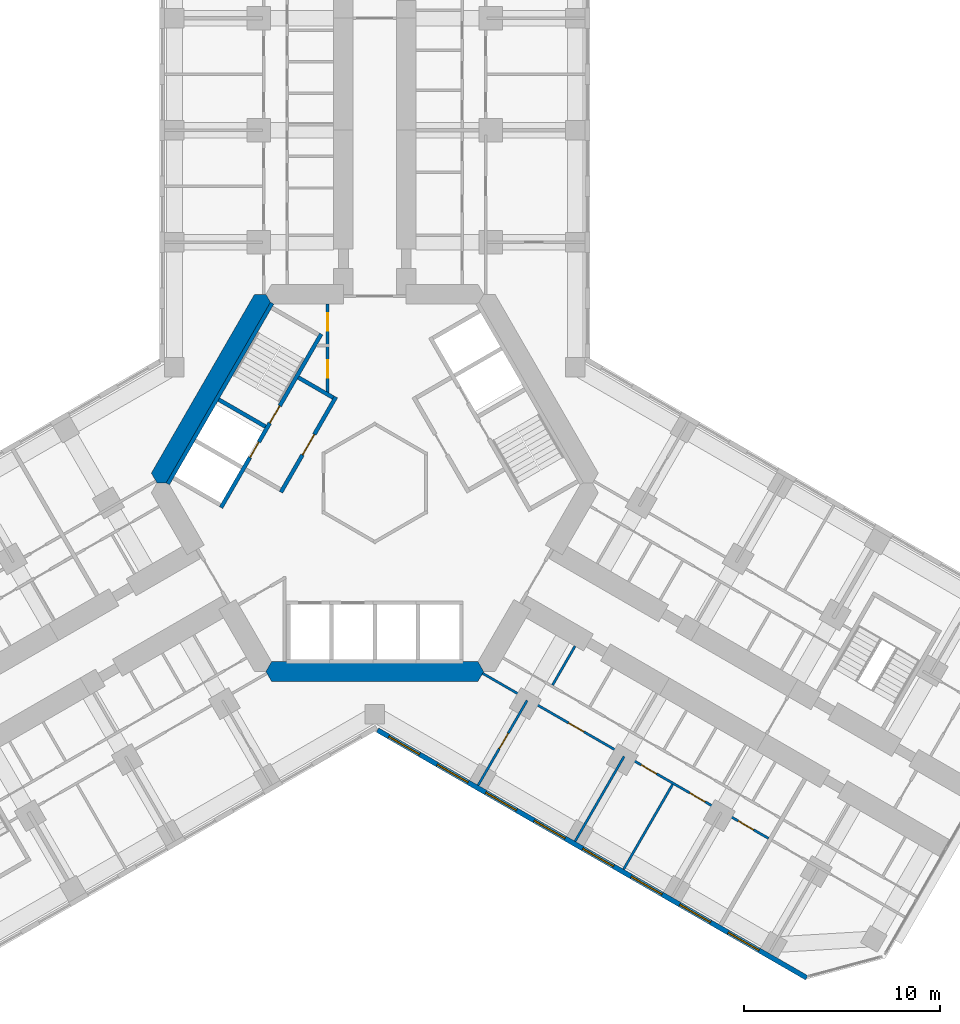
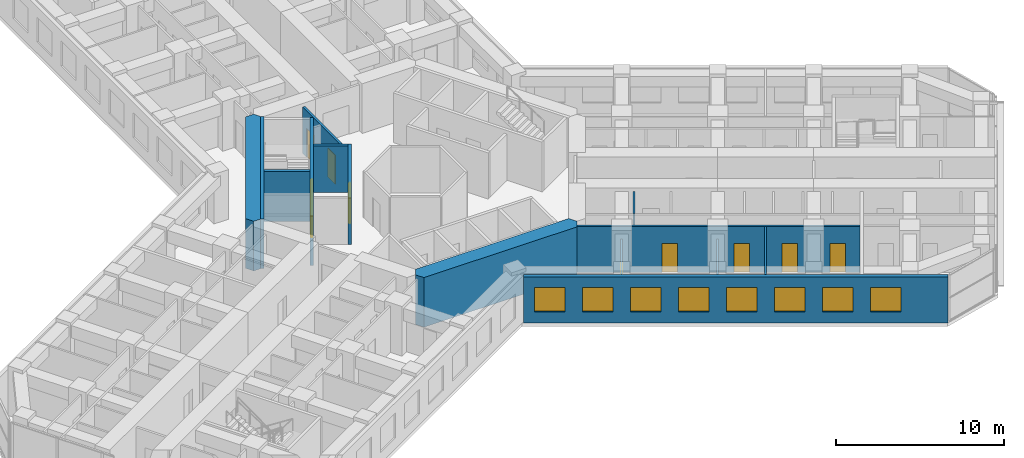
# One storey, part 13 of 21: 14 walls, 10 doors, 8 windows, 18 openings.
"""IFC4 building model written with IfcOpenShell, lengths in metres."""

from ifc_helpers import new_model, si_unit, direction, frame, frame_2d, origin, place, context, subcontext, project, spatial, polyline, rectangle, outline, extrude, material, layer, layer_set, type_object, element, fill, save


model = new_model("IFC4")

# Units and contexts
model_context = context("Model", 3, precision=1e-05, world=origin(), true_north=direction((0.0, 1.0)))
body_context = subcontext(model_context, "Body", "Model", "MODEL_VIEW")
ifc_project = project(units=[si_unit("LENGTHUNIT", "METRE"), si_unit("AREAUNIT", "SQUARE_METRE"), si_unit("VOLUMEUNIT", "CUBIC_METRE"), si_unit("PLANEANGLEUNIT", "RADIAN"), si_unit("MASSUNIT", "GRAM", prefix="KILO")], contexts=[model_context])

# Site, building, storey
site_placement = place(None, origin())
site = spatial("IfcSite", under=ifc_project, at=site_placement, CompositionType="ELEMENT")
building_placement = place(site_placement, origin())
building = spatial("IfcBuilding", under=site, at=building_placement, Name="Kosmar Iwan School Tower", CompositionType="ELEMENT")
storey_placement = place(building_placement, frame((0.0, 0.0, 46.60009765625)))
storey = spatial("IfcBuildingStorey", under=building, at=storey_placement, Name="L10", CompositionType="ELEMENT", Elevation=46.60009765625)

# Wall, openings, doors
ifc_material_1 = material(Name="Gypsum board on steel studs, fire-rated", Category="steel")
ifc_layer_1 = layer(ifc_material_1, 0.14990234375)
ifc_layer_set_1 = layer_set([ifc_layer_1], Name="Core room partition 150")
wall_type_1 = type_object("IfcWallType", Name="Core room partition 150", PredefinedType="PARTITIONING", material=ifc_layer_set_1)
wall_1_placement = place(storey_placement, frame((-2.39990234375, 9.094970703125, 0.0), z_axis=(0.0, 0.0, 1.0), x_axis=(0.0, -1.0, 0.0)))
wall_1 = element("IfcWall", 1, at=wall_1_placement, inside=storey, type_object=wall_type_1, Name="Core room partition L10-CW1", PredefinedType="PARTITIONING", context=body_context, shape_type="SweptSolid", body=[
    extrude(rectangle(XDim=4.564208984375, YDim=0.14990234375, at=frame_2d((2.2822265625, 0.0))), origin(), (0.0, 0.0, 1.0), 3.349853515625),
])
opening_1_placement = place(wall_1_placement, frame((0.455078125, 0.0, 0.0)))
opening_1 = element("IfcOpeningElement", 2, at=opening_1_placement, cuts=wall_1, Name="Opening D14", PredefinedType="OPENING", context=body_context, shape_type="SweptSolid", body=[
    extrude(rectangle(XDim=0.89990234375, YDim=2.10009765625, at=frame_2d((0.449951171875, 1.050048828125))), frame((0.0, 0.0869140625, 0.0), z_axis=(0.0, -1.0, 0.0), x_axis=(1.0, 0.0, 0.0)), (0.0, 0.0, 1.0), 0.173828125),
])
opening_2_placement = place(wall_1_placement, frame((2.85498046875, 0.0, 0.0)))
opening_2 = element("IfcOpeningElement", 3, at=opening_2_placement, cuts=wall_1, Name="Opening D14", PredefinedType="OPENING", context=body_context, shape_type="SweptSolid", body=[
    extrude(rectangle(XDim=0.89990234375, YDim=2.10009765625, at=frame_2d((0.449951171875, 1.050048828125))), frame((0.0, 0.0869140625, 0.0), z_axis=(0.0, -1.0, 0.0), x_axis=(1.0, 0.0, 0.0)), (0.0, 0.0, 1.0), 0.173828125),
])
ifc_material_2 = material(Name="Timber fire door in steel frame", Category="steel")
door_type_1 = type_object("IfcDoorType", Name="Core room door 900x2100", OperationType="SINGLE_SWING_LEFT", PredefinedType="DOOR", material=ifc_material_2)
door_1_placement = place(opening_1_placement, origin())
door_1 = element("IfcDoor", 4, at=door_1_placement, inside=storey, type_object=door_type_1, Name="Electrical riser and switch room door L10 1", OperationType="SINGLE_SWING_LEFT", OverallHeight=2.10009765625, OverallWidth=0.89990234375, PredefinedType="DOOR", context=body_context, shape_type="SweptSolid", body=[
    extrude(rectangle(XDim=0.89990234375, YDim=2.10009765625, at=frame_2d((0.449951171875, 1.050048828125))), frame((0.0, 0.02490234375, 0.0), z_axis=(0.0, -1.0, 0.0), x_axis=(1.0, 0.0, 0.0)), (0.0, 0.0, 1.0), 0.050048828125),
])
fill(opening_1, door_1)
door_2_placement = place(opening_2_placement, origin())
door_2 = element("IfcDoor", 5, at=door_2_placement, inside=storey, type_object=door_type_1, Name="Plumbing and wet riser door L10 2", OperationType="SINGLE_SWING_RIGHT", OverallHeight=2.10009765625, OverallWidth=0.89990234375, PredefinedType="DOOR", context=body_context, shape_type="SweptSolid", body=[
    extrude(rectangle(XDim=0.89990234375, YDim=2.10009765625, at=frame_2d((0.449951171875, 1.050048828125))), frame((0.0, 0.02490234375, 0.0), z_axis=(0.0, -1.0, 0.0), x_axis=(1.0, 0.0, 0.0)), (0.0, 0.0, 1.0), 0.050048828125),
])
fill(opening_2, door_2)

# Walls
ifc_material_3 = material(Name="Concrete C50/60", Category="concrete")
ifc_layer_2 = layer(ifc_material_3, 1.0)
ifc_layer_set_2 = layer_set([ifc_layer_2], Name="Core wall 1000")
wall_type_2 = type_object("IfcWallType", Name="Core wall 1000", PredefinedType="SHEAR", material=ifc_layer_set_2)
wall_2_placement = place(storey_placement, origin())
element("IfcWall", 6, at=wall_2_placement, inside=storey, type_object=wall_type_2, Name="Core wall F150", PredefinedType="SHEAR", context=body_context, shape_type="SweptSolid", body=[
    extrude(outline(polyline([(-11.085205078125, 0.0), (-10.5078125, 0.0), (-5.25390625, 9.10009765625), (-5.54248046875, 9.60009765625), (-6.119873046875, 9.60009765625), (-11.373779296875, 0.5), (-11.085205078125, 0.0)])), origin(), (0.0, 0.0, 1.0), 3.599853515625),
])
wall_3_placement = place(storey_placement, origin())
element("IfcWall", 7, at=wall_3_placement, inside=storey, type_object=wall_type_2, Name="Core wall F270", PredefinedType="SHEAR", context=body_context, shape_type="SweptSolid", body=[
    extrude(outline(polyline([(-5.25390625, -10.10009765625), (5.25390625, -10.10009765625), (5.54248046875, -9.60009765625), (5.25390625, -9.10009765625), (-5.25390625, -9.10009765625), (-5.54248046875, -9.60009765625), (-5.25390625, -10.10009765625)])), origin(), (0.0, 0.0, 1.0), 3.599853515625),
])

# Wall, openings, doors
ifc_material_4 = material(Name="Gypsum board on steel studs", Category="steel")
ifc_layer_3 = layer(ifc_material_4, 0.1201171875)
ifc_layer_set_3 = layer_set([ifc_layer_3], Name="Dwelling partition 120")
wall_type_3 = type_object("IfcWallType", Name="Dwelling partition 120", PredefinedType="PARTITIONING", material=ifc_layer_set_3)
wall_4_placement = place(storey_placement, frame((5.48876953125, -9.693115234375, 0.0), z_axis=(0.0, 0.0, 1.0), x_axis=(0.86602925447, -0.499993330357, 0.0)))
wall_4 = element("IfcWall", 8, at=wall_4_placement, inside=storey, type_object=wall_type_3, Name="Partition L10-CR1-W2", PredefinedType="PARTITIONING", context=body_context, shape_type="SweptSolid", body=[
    extrude(rectangle(XDim=16.800048828125, YDim=0.1201171875, at=frame_2d((8.39990234375, 0.0))), origin(), (0.0, 0.0, 1.0), 3.349853515625),
])
opening_3_placement = place(wall_4_placement, frame((5.050048828125, 0.0, 0.0)))
opening_3 = element("IfcOpeningElement", 9, at=opening_3_placement, cuts=wall_4, Name="Opening D2", PredefinedType="OPENING", context=body_context, shape_type="SweptSolid", body=[
    extrude(rectangle(XDim=0.89990234375, YDim=2.10009765625, at=frame_2d((0.449951171875, 1.050048828125))), frame((0.0, 0.072021484375, 0.0), z_axis=(0.0, -1.0, 0.0), x_axis=(1.0, 0.0, 0.0)), (0.0, 0.0, 1.0), 0.14404296875),
])
opening_4_placement = place(wall_4_placement, frame((9.324951171875, 0.0, 0.0)))
opening_4 = element("IfcOpeningElement", 10, at=opening_4_placement, cuts=wall_4, Name="Opening D2", PredefinedType="OPENING", context=body_context, shape_type="SweptSolid", body=[
    extrude(rectangle(XDim=0.89990234375, YDim=2.10009765625, at=frame_2d((0.449951171875, 1.050048828125))), frame((0.0, 0.072021484375, 0.0), z_axis=(0.0, -1.0, 0.0), x_axis=(1.0, 0.0, 0.0)), (0.0, 0.0, 1.0), 0.14404296875),
])
opening_5_placement = place(wall_4_placement, frame((12.175048828125, 0.0, 0.0)))
opening_5 = element("IfcOpeningElement", 11, at=opening_5_placement, cuts=wall_4, Name="Opening D2", PredefinedType="OPENING", context=body_context, shape_type="SweptSolid", body=[
    extrude(rectangle(XDim=0.89990234375, YDim=2.10009765625, at=frame_2d((0.449951171875, 1.050048828125))), frame((0.0, 0.072021484375, 0.0), z_axis=(0.0, -1.0, 0.0), x_axis=(1.0, 0.0, 0.0)), (0.0, 0.0, 1.0), 0.14404296875),
])
opening_6_placement = place(wall_4_placement, frame((15.02490234375, 0.0, 0.0)))
opening_6 = element("IfcOpeningElement", 12, at=opening_6_placement, cuts=wall_4, Name="Opening D2", PredefinedType="OPENING", context=body_context, shape_type="SweptSolid", body=[
    extrude(rectangle(XDim=0.89990234375, YDim=2.10009765625, at=frame_2d((0.449951171875, 1.050048828125))), frame((0.0, 0.072021484375, 0.0), z_axis=(0.0, -1.0, 0.0), x_axis=(1.0, 0.0, 0.0)), (0.0, 0.0, 1.0), 0.14404296875),
])
ifc_material_5 = material(Name="Timber door in timber frame", Category="wood")
door_type_2 = type_object("IfcDoorType", Name="Internal door 900x2100", OperationType="SINGLE_SWING_LEFT", PredefinedType="DOOR", material=ifc_material_5)
door_3_placement = place(opening_3_placement, origin())
door_3 = element("IfcDoor", 13, at=door_3_placement, inside=storey, type_object=door_type_2, Name="Living room door L10-CR1-F2", OperationType="SINGLE_SWING_LEFT", OverallHeight=2.10009765625, OverallWidth=0.89990234375, PredefinedType="DOOR", context=body_context, shape_type="SweptSolid", body=[
    extrude(rectangle(XDim=0.89990234375, YDim=2.10009765625, at=frame_2d((0.449951171875, 1.050048828125))), frame((0.0, 0.02490234375, 0.0), z_axis=(0.0, -1.0, 0.0), x_axis=(1.0, 0.0, 0.0)), (0.0, 0.0, 1.0), 0.050048828125),
])
fill(opening_3, door_3)
door_4_placement = place(opening_4_placement, origin())
door_4 = element("IfcDoor", 14, at=door_4_placement, inside=storey, type_object=door_type_2, Name="Study door L10-CR1-F3", OperationType="SINGLE_SWING_RIGHT", OverallHeight=2.10009765625, OverallWidth=0.89990234375, PredefinedType="DOOR", context=body_context, shape_type="SweptSolid", body=[
    extrude(rectangle(XDim=0.89990234375, YDim=2.10009765625, at=frame_2d((0.449951171875, 1.050048828125))), frame((0.0, 0.02490234375, 0.0), z_axis=(0.0, -1.0, 0.0), x_axis=(1.0, 0.0, 0.0)), (0.0, 0.0, 1.0), 0.050048828125),
])
fill(opening_4, door_4)
door_5_placement = place(opening_5_placement, origin())
door_5 = element("IfcDoor", 15, at=door_5_placement, inside=storey, type_object=door_type_2, Name="Bedroom 1 door L10-CR1-F4", OperationType="SINGLE_SWING_RIGHT", OverallHeight=2.10009765625, OverallWidth=0.89990234375, PredefinedType="DOOR", context=body_context, shape_type="SweptSolid", body=[
    extrude(rectangle(XDim=0.89990234375, YDim=2.10009765625, at=frame_2d((0.449951171875, 1.050048828125))), frame((0.0, 0.02490234375, 0.0), z_axis=(0.0, -1.0, 0.0), x_axis=(1.0, 0.0, 0.0)), (0.0, 0.0, 1.0), 0.050048828125),
])
fill(opening_5, door_5)
door_6_placement = place(opening_6_placement, origin())
door_6 = element("IfcDoor", 16, at=door_6_placement, inside=storey, type_object=door_type_2, Name="Bedroom 2 door L10-CR1-F5", OperationType="SINGLE_SWING_RIGHT", OverallHeight=2.10009765625, OverallWidth=0.89990234375, PredefinedType="DOOR", context=body_context, shape_type="SweptSolid", body=[
    extrude(rectangle(XDim=0.89990234375, YDim=2.10009765625, at=frame_2d((0.449951171875, 1.050048828125))), frame((0.0, 0.02490234375, 0.0), z_axis=(0.0, -1.0, 0.0), x_axis=(1.0, 0.0, 0.0)), (0.0, 0.0, 1.0), 0.050048828125),
])
fill(opening_6, door_6)

# Wall, opening, door
wall_5_placement = place(storey_placement, frame((7.75390625, -11.070068359375, 0.0), z_axis=(0.0, 0.0, 1.0), x_axis=(-0.500033033937, -0.866006330792, 0.0)))
wall_5 = element("IfcWall", 17, at=wall_5_placement, inside=storey, type_object=wall_type_3, Name="Partition L10-CR1-X1", PredefinedType="PARTITIONING", context=body_context, shape_type="SweptSolid", body=[
    extrude(rectangle(XDim=4.989990234375, YDim=0.1201171875, at=frame_2d((2.4951171875, 0.0))), origin(), (0.0, 0.0, 1.0), 2.449951171875),
])
opening_7_placement = place(wall_5_placement, frame((1.93994140625, 0.0, 0.0)))
opening_7 = element("IfcOpeningElement", 18, at=opening_7_placement, cuts=wall_5, Name="Opening D2", PredefinedType="OPENING", context=body_context, shape_type="SweptSolid", body=[
    extrude(rectangle(XDim=0.89990234375, YDim=2.10009765625, at=frame_2d((0.449951171875, 1.050048828125))), frame((0.0, 0.072021484375, 0.0), z_axis=(0.0, -1.0, 0.0), x_axis=(1.0, 0.0, 0.0)), (0.0, 0.0, 1.0), 0.14404296875),
])
door_7_placement = place(opening_7_placement, origin())
door_7 = element("IfcDoor", 19, at=door_7_placement, inside=storey, type_object=door_type_2, Name="Kitchen and dining room door L10-CR1-F1", OperationType="SINGLE_SWING_LEFT", OverallHeight=2.10009765625, OverallWidth=0.89990234375, PredefinedType="DOOR", context=body_context, shape_type="SweptSolid", body=[
    extrude(rectangle(XDim=0.89990234375, YDim=2.10009765625, at=frame_2d((0.449951171875, 1.050048828125))), frame((0.0, 0.02490234375, 0.0), z_axis=(0.0, -1.0, 0.0), x_axis=(1.0, 0.0, 0.0)), (0.0, 0.0, 1.0), 0.050048828125),
])
fill(opening_7, door_7)

# Walls
wall_6_placement = place(storey_placement, frame((12.690185546875, -13.919921875, 0.0), z_axis=(0.0, 0.0, 1.0), x_axis=(-0.500011847778, -0.866018563358, 0.0)))
element("IfcWall", 20, at=wall_6_placement, inside=storey, type_object=wall_type_3, Name="Partition L10-CR1-X2", PredefinedType="PARTITIONING", context=body_context, shape_type="SweptSolid", body=[
    extrude(rectangle(XDim=4.990234375, YDim=0.1201171875, at=frame_2d((2.4951171875, 0.0))), origin(), (0.0, 0.0, 1.0), 2.449951171875),
])
wall_7_placement = place(storey_placement, frame((15.158447265625, -15.344970703125, 0.0), z_axis=(0.0, 0.0, 1.0), x_axis=(-0.500011847778, -0.866018563358, 0.0)))
element("IfcWall", 21, at=wall_7_placement, inside=storey, type_object=wall_type_3, Name="Partition L10-CR1-X3", PredefinedType="PARTITIONING", context=body_context, shape_type="SweptSolid", body=[
    extrude(rectangle(XDim=4.990234375, YDim=0.1201171875, at=frame_2d((2.4951171875, 0.0))), origin(), (0.0, 0.0, 1.0), 3.349853515625),
])
wall_8_placement = place(storey_placement, frame((10.19091796875, -8.30859375, 0.0), z_axis=(0.0, 0.0, 1.0), x_axis=(-0.500014693593, -0.866016920268, 0.0)))
element("IfcWall", 22, at=wall_8_placement, inside=storey, type_object=wall_type_3, Name="Partition L10-CR1-Y1", PredefinedType="PARTITIONING", context=body_context, shape_type="SweptSolid", body=[
    extrude(rectangle(XDim=2.2900390625, YDim=0.1201171875, at=frame_2d((1.14501953125, 0.0))), origin(), (0.0, 0.0, 1.0), 3.349853515625),
])

# Wall, openings, windows
ifc_material_6 = material(Name="Black aluminium rainscreen on insulated framing", Category="aluminium")
ifc_layer_4 = layer(ifc_material_6, 0.25)
ifc_layer_set_4 = layer_set([ifc_layer_4], Name="External wall rainscreen 250")
wall_type_4 = type_object("IfcWallType", Name="External wall rainscreen 250", PredefinedType="SOLIDWALL", material=ifc_layer_set_4)
wall_9_placement = place(storey_placement, frame((0.137939453125, -12.5791015625, 0.0), z_axis=(0.0, 0.0, 1.0), x_axis=(0.866023775649, -0.500002820003, 0.0)))
wall_9 = element("IfcWall", 23, at=wall_9_placement, inside=storey, type_object=wall_type_4, Name="External wall CR L10", PredefinedType="SOLIDWALL", context=body_context, shape_type="SweptSolid", body=[
    extrude(rectangle(XDim=25.226318359375, YDim=0.25, at=frame_2d((12.61328125, 0.0))), origin(), (0.0, 0.0, 1.0), 3.349853515625),
])
opening_8_placement = place(wall_9_placement, frame((0.666015625, 0.0, 0.800048828125)))
opening_8 = element("IfcOpeningElement", 24, at=opening_8_placement, cuts=wall_9, Name="Opening W1", PredefinedType="OPENING", context=body_context, shape_type="SweptSolid", body=[
    extrude(rectangle(XDim=1.800048828125, YDim=1.800048828125, at=frame_2d((0.89990234375, 0.89990234375))), frame((0.0, 0.136962890625, 0.0), z_axis=(0.0, -1.0, 0.0), x_axis=(1.0, 0.0, 0.0)), (0.0, 0.0, 1.0), 0.27392578125),
])
opening_9_placement = place(wall_9_placement, frame((3.51611328125, 0.0, 0.800048828125)))
opening_9 = element("IfcOpeningElement", 25, at=opening_9_placement, cuts=wall_9, Name="Opening W1", PredefinedType="OPENING", context=body_context, shape_type="SweptSolid", body=[
    extrude(rectangle(XDim=1.800048828125, YDim=1.800048828125, at=frame_2d((0.89990234375, 0.89990234375))), frame((0.0, 0.136962890625, 0.0), z_axis=(0.0, -1.0, 0.0), x_axis=(1.0, 0.0, 0.0)), (0.0, 0.0, 1.0), 0.27392578125),
])
opening_10_placement = place(wall_9_placement, frame((6.365966796875, 0.0, 0.800048828125)))
opening_10 = element("IfcOpeningElement", 26, at=opening_10_placement, cuts=wall_9, Name="Opening W1", PredefinedType="OPENING", context=body_context, shape_type="SweptSolid", body=[
    extrude(rectangle(XDim=1.800048828125, YDim=1.800048828125, at=frame_2d((0.89990234375, 0.89990234375))), frame((0.0, 0.136962890625, 0.0), z_axis=(0.0, -1.0, 0.0), x_axis=(1.0, 0.0, 0.0)), (0.0, 0.0, 1.0), 0.27392578125),
])
opening_11_placement = place(wall_9_placement, frame((9.216064453125, 0.0, 0.800048828125)))
opening_11 = element("IfcOpeningElement", 27, at=opening_11_placement, cuts=wall_9, Name="Opening W1", PredefinedType="OPENING", context=body_context, shape_type="SweptSolid", body=[
    extrude(rectangle(XDim=1.800048828125, YDim=1.800048828125, at=frame_2d((0.89990234375, 0.89990234375))), frame((0.0, 0.136962890625, 0.0), z_axis=(0.0, -1.0, 0.0), x_axis=(1.0, 0.0, 0.0)), (0.0, 0.0, 1.0), 0.27392578125),
])
opening_12_placement = place(wall_9_placement, frame((12.06591796875, 0.0, 0.800048828125)))
opening_12 = element("IfcOpeningElement", 28, at=opening_12_placement, cuts=wall_9, Name="Opening W1", PredefinedType="OPENING", context=body_context, shape_type="SweptSolid", body=[
    extrude(rectangle(XDim=1.800048828125, YDim=1.800048828125, at=frame_2d((0.89990234375, 0.89990234375))), frame((0.0, 0.136962890625, 0.0), z_axis=(0.0, -1.0, 0.0), x_axis=(1.0, 0.0, 0.0)), (0.0, 0.0, 1.0), 0.27392578125),
])
opening_13_placement = place(wall_9_placement, frame((14.916015625, 0.0, 0.800048828125)))
opening_13 = element("IfcOpeningElement", 29, at=opening_13_placement, cuts=wall_9, Name="Opening W1", PredefinedType="OPENING", context=body_context, shape_type="SweptSolid", body=[
    extrude(rectangle(XDim=1.800048828125, YDim=1.800048828125, at=frame_2d((0.89990234375, 0.89990234375))), frame((0.0, 0.136962890625, 0.0), z_axis=(0.0, -1.0, 0.0), x_axis=(1.0, 0.0, 0.0)), (0.0, 0.0, 1.0), 0.27392578125),
])
opening_14_placement = place(wall_9_placement, frame((17.76611328125, 0.0, 0.800048828125)))
opening_14 = element("IfcOpeningElement", 30, at=opening_14_placement, cuts=wall_9, Name="Opening W1", PredefinedType="OPENING", context=body_context, shape_type="SweptSolid", body=[
    extrude(rectangle(XDim=1.800048828125, YDim=1.800048828125, at=frame_2d((0.89990234375, 0.89990234375))), frame((0.0, 0.136962890625, 0.0), z_axis=(0.0, -1.0, 0.0), x_axis=(1.0, 0.0, 0.0)), (0.0, 0.0, 1.0), 0.27392578125),
])
opening_15_placement = place(wall_9_placement, frame((20.615966796875, 0.0, 0.800048828125)))
opening_15 = element("IfcOpeningElement", 31, at=opening_15_placement, cuts=wall_9, Name="Opening W1", PredefinedType="OPENING", context=body_context, shape_type="SweptSolid", body=[
    extrude(rectangle(XDim=1.800048828125, YDim=1.800048828125, at=frame_2d((0.89990234375, 0.89990234375))), frame((0.0, 0.136962890625, 0.0), z_axis=(0.0, -1.0, 0.0), x_axis=(1.0, 0.0, 0.0)), (0.0, 0.0, 1.0), 0.27392578125),
])
ifc_material_7 = material(Name="Black aluminium frame with dark triple glazing", Category="aluminium")
window_type = type_object("IfcWindowType", Name="Window 1800x1800", PartitioningType="SINGLE_PANEL", PredefinedType="WINDOW", material=ifc_material_7)
window_1_placement = place(opening_8_placement, origin())
window_1 = element("IfcWindow", 32, at=window_1_placement, inside=storey, type_object=window_type, Name="Window CR L10 -1", OverallHeight=1.800048828125, OverallWidth=1.800048828125, PartitioningType="SINGLE_PANEL", PredefinedType="WINDOW", context=body_context, shape_type="SweptSolid", body=[
    extrude(rectangle(XDim=1.800048828125, YDim=1.800048828125, at=frame_2d((0.89990234375, 0.89990234375))), frame((0.0, 0.030029296875, 0.0), z_axis=(0.0, -1.0, 0.0), x_axis=(1.0, 0.0, 0.0)), (0.0, 0.0, 1.0), 0.06005859375),
])
fill(opening_8, window_1)
window_2_placement = place(opening_9_placement, origin())
window_2 = element("IfcWindow", 33, at=window_2_placement, inside=storey, type_object=window_type, Name="Window CR L10 0", OverallHeight=1.800048828125, OverallWidth=1.800048828125, PartitioningType="SINGLE_PANEL", PredefinedType="WINDOW", context=body_context, shape_type="SweptSolid", body=[
    extrude(rectangle(XDim=1.800048828125, YDim=1.800048828125, at=frame_2d((0.89990234375, 0.89990234375))), frame((0.0, 0.030029296875, 0.0), z_axis=(0.0, -1.0, 0.0), x_axis=(1.0, 0.0, 0.0)), (0.0, 0.0, 1.0), 0.06005859375),
])
fill(opening_9, window_2)
window_3_placement = place(opening_10_placement, origin())
window_3 = element("IfcWindow", 34, at=window_3_placement, inside=storey, type_object=window_type, Name="Window CR L10 1", OverallHeight=1.800048828125, OverallWidth=1.800048828125, PartitioningType="SINGLE_PANEL", PredefinedType="WINDOW", context=body_context, shape_type="SweptSolid", body=[
    extrude(rectangle(XDim=1.800048828125, YDim=1.800048828125, at=frame_2d((0.89990234375, 0.89990234375))), frame((0.0, 0.030029296875, 0.0), z_axis=(0.0, -1.0, 0.0), x_axis=(1.0, 0.0, 0.0)), (0.0, 0.0, 1.0), 0.06005859375),
])
fill(opening_10, window_3)
window_4_placement = place(opening_11_placement, origin())
window_4 = element("IfcWindow", 35, at=window_4_placement, inside=storey, type_object=window_type, Name="Window CR L10 2", OverallHeight=1.800048828125, OverallWidth=1.800048828125, PartitioningType="SINGLE_PANEL", PredefinedType="WINDOW", context=body_context, shape_type="SweptSolid", body=[
    extrude(rectangle(XDim=1.800048828125, YDim=1.800048828125, at=frame_2d((0.89990234375, 0.89990234375))), frame((0.0, 0.030029296875, 0.0), z_axis=(0.0, -1.0, 0.0), x_axis=(1.0, 0.0, 0.0)), (0.0, 0.0, 1.0), 0.06005859375),
])
fill(opening_11, window_4)
window_5_placement = place(opening_12_placement, origin())
window_5 = element("IfcWindow", 36, at=window_5_placement, inside=storey, type_object=window_type, Name="Window CR L10 3", OverallHeight=1.800048828125, OverallWidth=1.800048828125, PartitioningType="SINGLE_PANEL", PredefinedType="WINDOW", context=body_context, shape_type="SweptSolid", body=[
    extrude(rectangle(XDim=1.800048828125, YDim=1.800048828125, at=frame_2d((0.89990234375, 0.89990234375))), frame((0.0, 0.030029296875, 0.0), z_axis=(0.0, -1.0, 0.0), x_axis=(1.0, 0.0, 0.0)), (0.0, 0.0, 1.0), 0.06005859375),
])
fill(opening_12, window_5)
window_6_placement = place(opening_13_placement, origin())
window_6 = element("IfcWindow", 37, at=window_6_placement, inside=storey, type_object=window_type, Name="Window CR L10 4", OverallHeight=1.800048828125, OverallWidth=1.800048828125, PartitioningType="SINGLE_PANEL", PredefinedType="WINDOW", context=body_context, shape_type="SweptSolid", body=[
    extrude(rectangle(XDim=1.800048828125, YDim=1.800048828125, at=frame_2d((0.89990234375, 0.89990234375))), frame((0.0, 0.030029296875, 0.0), z_axis=(0.0, -1.0, 0.0), x_axis=(1.0, 0.0, 0.0)), (0.0, 0.0, 1.0), 0.06005859375),
])
fill(opening_13, window_6)
window_7_placement = place(opening_14_placement, origin())
window_7 = element("IfcWindow", 38, at=window_7_placement, inside=storey, type_object=window_type, Name="Window CR L10 5", OverallHeight=1.800048828125, OverallWidth=1.800048828125, PartitioningType="SINGLE_PANEL", PredefinedType="WINDOW", context=body_context, shape_type="SweptSolid", body=[
    extrude(rectangle(XDim=1.800048828125, YDim=1.800048828125, at=frame_2d((0.89990234375, 0.89990234375))), frame((0.0, 0.030029296875, 0.0), z_axis=(0.0, -1.0, 0.0), x_axis=(1.0, 0.0, 0.0)), (0.0, 0.0, 1.0), 0.06005859375),
])
fill(opening_14, window_7)
window_8_placement = place(opening_15_placement, origin())
window_8 = element("IfcWindow", 39, at=window_8_placement, inside=storey, type_object=window_type, Name="Window CR L10 6", OverallHeight=1.800048828125, OverallWidth=1.800048828125, PartitioningType="SINGLE_PANEL", PredefinedType="WINDOW", context=body_context, shape_type="SweptSolid", body=[
    extrude(rectangle(XDim=1.800048828125, YDim=1.800048828125, at=frame_2d((0.89990234375, 0.89990234375))), frame((0.0, 0.030029296875, 0.0), z_axis=(0.0, -1.0, 0.0), x_axis=(1.0, 0.0, 0.0)), (0.0, 0.0, 1.0), 0.06005859375),
])
fill(opening_15, window_8)

# Wall, opening, door
ifc_material_8 = material(Name="Concrete block masonry", Category="masonry")
ifc_layer_5 = layer(ifc_material_8, 0.199951171875)
ifc_layer_set_5 = layer_set([ifc_layer_5], Name="Fire lobby wall 200")
wall_type_5 = type_object("IfcWallType", Name="Fire lobby wall 200", PredefinedType="PARTITIONING", material=ifc_layer_set_5)
wall_10_placement = place(storey_placement, frame((-1.9775390625, 4.374755859375, 0.0), z_axis=(0.0, 0.0, 1.0), x_axis=(-0.500016814911, -0.866015695474, 0.0)))
wall_10 = element("IfcWall", 40, at=wall_10_placement, inside=storey, type_object=wall_type_5, Name="Firefighting lobby wall ST2", PredefinedType="PARTITIONING", context=body_context, shape_type="SweptSolid", body=[
    extrude(rectangle(XDim=5.599853515625, YDim=0.199951171875, at=frame_2d((2.7998046875, 0.0))), origin(), (0.0, 0.0, 1.0), 3.349853515625),
])
opening_16_placement = place(wall_10_placement, frame((2.199951171875, 0.0, 0.0)))
opening_16 = element("IfcOpeningElement", 41, at=opening_16_placement, cuts=wall_10, Name="Opening D7", PredefinedType="OPENING", context=body_context, shape_type="SweptSolid", body=[
    extrude(rectangle(XDim=1.199951171875, YDim=2.10009765625, at=frame_2d((0.60009765625, 1.050048828125))), frame((0.0, 0.112060546875, 0.0), z_axis=(0.0, -1.0, 0.0), x_axis=(1.0, 0.0, 0.0)), (0.0, 0.0, 1.0), 0.223876953125),
])
ifc_material_9 = material(Name="Steel fire door", Category="steel")
door_type_3 = type_object("IfcDoorType", Name="Fire lobby door 1200x2100", OperationType="SINGLE_SWING_LEFT", PredefinedType="DOOR", material=ifc_material_9)
door_8_placement = place(opening_16_placement, frame((1.199951171875, 0.0, 0.0), z_axis=(0.0, 0.0, 1.0), x_axis=(-1.0, 0.0, 0.0)))
door_8 = element("IfcDoor", 42, at=door_8_placement, inside=storey, type_object=door_type_3, Name="Firefighting lobby door ST2 L10", OperationType="SINGLE_SWING_LEFT", OverallHeight=2.10009765625, OverallWidth=1.199951171875, PredefinedType="DOOR", context=body_context, shape_type="SweptSolid", body=[
    extrude(rectangle(XDim=1.199951171875, YDim=2.10009765625, at=frame_2d((0.60009765625, 1.050048828125))), frame((0.0, 0.02490234375, 0.0), z_axis=(0.0, -1.0, 0.0), x_axis=(1.0, 0.0, 0.0)), (0.0, 0.0, 1.0), 0.050048828125),
])
fill(opening_16, door_8)

# Wall
wall_11_placement = place(storey_placement, frame((-2.114013671875, 4.33837890625, 0.0), z_axis=(0.0, 0.0, 1.0), x_axis=(-0.866050731258, 0.499956128963, 0.0)))
element("IfcWall", 43, at=wall_11_placement, inside=storey, type_object=wall_type_5, Name="Firefighting lobby wall ST2", PredefinedType="PARTITIONING", context=body_context, shape_type="SweptSolid", body=[
    extrude(rectangle(XDim=2.050048828125, YDim=0.199951171875, at=frame_2d((1.02490234375, 0.0))), origin(), (0.0, 0.0, 1.0), 3.349853515625),
])

# Wall, openings, doors
ifc_material_10 = material(Name="Concrete C50/60", Category="concrete")
ifc_layer_6 = layer(ifc_material_10, 0.199951171875)
ifc_layer_set_6 = layer_set([ifc_layer_6], Name="Lift shaft wall 200")
wall_type_6 = type_object("IfcWallType", Name="Lift shaft wall 200", PredefinedType="SHEAR", material=ifc_layer_set_6)
wall_12_placement = place(storey_placement, frame((-2.72607421875, 7.578369140625, 0.0), z_axis=(0.0, 0.0, 1.0), x_axis=(-0.500005610874, -0.86602216432, 0.0)))
wall_12 = element("IfcWall", 44, at=wall_12_placement, inside=storey, type_object=wall_type_6, Name="Lift and stair front wall AB", PredefinedType="SHEAR", context=body_context, shape_type="SweptSolid", body=[
    extrude(rectangle(XDim=10.2001953125, YDim=0.199951171875, at=frame_2d((5.10009765625, 0.0))), origin(), (0.0, 0.0, 1.0), 3.599853515625),
])
opening_17_placement = place(wall_12_placement, frame((6.35009765625, 0.0, 0.0)))
opening_17 = element("IfcOpeningElement", 45, at=opening_17_placement, cuts=wall_12, Name="Opening LD2", PredefinedType="OPENING", context=body_context, shape_type="SweptSolid", body=[
    extrude(rectangle(XDim=0.89990234375, YDim=2.10009765625, at=frame_2d((0.449951171875, 1.050048828125))), frame((0.0, 0.112060546875, 0.0), z_axis=(0.0, -1.0, 0.0), x_axis=(1.0, 0.0, 0.0)), (0.0, 0.0, 1.0), 0.223876953125),
])
opening_18_placement = place(wall_12_placement, frame((4.22998046875, 0.0, 0.0)))
opening_18 = element("IfcOpeningElement", 46, at=opening_18_placement, cuts=wall_12, Name="Opening D6", PredefinedType="OPENING", context=body_context, shape_type="SweptSolid", body=[
    extrude(rectangle(XDim=1.0, YDim=2.10009765625, at=frame_2d((0.5, 1.050048828125))), frame((0.0, 0.112060546875, 0.0), z_axis=(0.0, -1.0, 0.0), x_axis=(1.0, 0.0, 0.0)), (0.0, 0.0, 1.0), 0.223876953125),
])
ifc_material_11 = material(Name="Stainless steel sliding lift door", Category="steel")
door_type_4 = type_object("IfcDoorType", Name="Firefighting lift landing door 900x2100", OperationType="SLIDING_TO_LEFT", PredefinedType="DOOR", material=ifc_material_11)
door_9_placement = place(opening_17_placement, origin())
door_9 = element("IfcDoor", 47, at=door_9_placement, inside=storey, type_object=door_type_4, Name="Lift FF2 landing door L10", OperationType="SLIDING_TO_LEFT", OverallHeight=2.10009765625, OverallWidth=0.89990234375, PredefinedType="DOOR", context=body_context, shape_type="SweptSolid", body=[
    extrude(rectangle(XDim=0.89990234375, YDim=2.10009765625, at=frame_2d((0.449951171875, 1.050048828125))), frame((0.0, 0.02490234375, 0.0), z_axis=(0.0, -1.0, 0.0), x_axis=(1.0, 0.0, 0.0)), (0.0, 0.0, 1.0), 0.050048828125),
])
fill(opening_17, door_9)
ifc_material_12 = material(Name="Steel fire door", Category="steel")
door_type_5 = type_object("IfcDoorType", Name="Stair door 1000x2100", OperationType="SINGLE_SWING_LEFT", PredefinedType="DOOR", material=ifc_material_12)
door_10_placement = place(opening_18_placement, origin())
door_10 = element("IfcDoor", 48, at=door_10_placement, inside=storey, type_object=door_type_5, Name="Stair ST2 door L10", OperationType="SINGLE_SWING_LEFT", OverallHeight=2.10009765625, OverallWidth=1.0, PredefinedType="DOOR", context=body_context, shape_type="SweptSolid", body=[
    extrude(rectangle(XDim=1.0, YDim=2.10009765625, at=frame_2d((0.5, 1.050048828125))), frame((0.0, 0.02490234375, 0.0), z_axis=(0.0, -1.0, 0.0), x_axis=(1.0, 0.0, 0.0)), (0.0, 0.0, 1.0), 0.050048828125),
])
fill(opening_18, door_10)

# Walls
wall_13_placement = place(storey_placement, frame((-5.22509765625, 9.14990234375, 0.0), z_axis=(0.0, 0.0, 1.0), x_axis=(-0.499994998079, -0.866028291626, 0.0)))
element("IfcWall", 49, at=wall_13_placement, inside=storey, type_object=wall_type_6, Name="Lift and stair back wall AB", PredefinedType="SHEAR", context=body_context, shape_type="SweptSolid", body=[
    extrude(rectangle(XDim=10.623046875, YDim=0.199951171875, at=frame_2d((5.3115234375, 0.0))), origin(), (0.0, 0.0, 1.0), 3.599853515625),
])
ifc_material_13 = material(Name="Concrete C50/60", Category="concrete")
ifc_layer_7 = layer(ifc_material_13, 0.199951171875)
ifc_layer_set_7 = layer_set([ifc_layer_7], Name="Stair enclosure wall 200")
wall_type_7 = type_object("IfcWallType", Name="Stair enclosure wall 200", PredefinedType="SHEAR", material=ifc_layer_set_7)
wall_14_placement = place(storey_placement, frame((-5.562744140625, 2.865234375, 0.0), z_axis=(0.0, 0.0, 1.0), x_axis=(-0.866027397988, 0.499996545922, 0.0)))
element("IfcWall", 50, at=wall_14_placement, inside=storey, type_object=wall_type_7, Name="Stair ST2 wall", PredefinedType="SHEAR", context=body_context, shape_type="SweptSolid", body=[
    extrude(rectangle(XDim=2.75, YDim=0.199951171875, at=frame_2d((1.375, 0.0))), origin(), (0.0, 0.0, 1.0), 3.599853515625),
])

save(model, "model.ifc")
